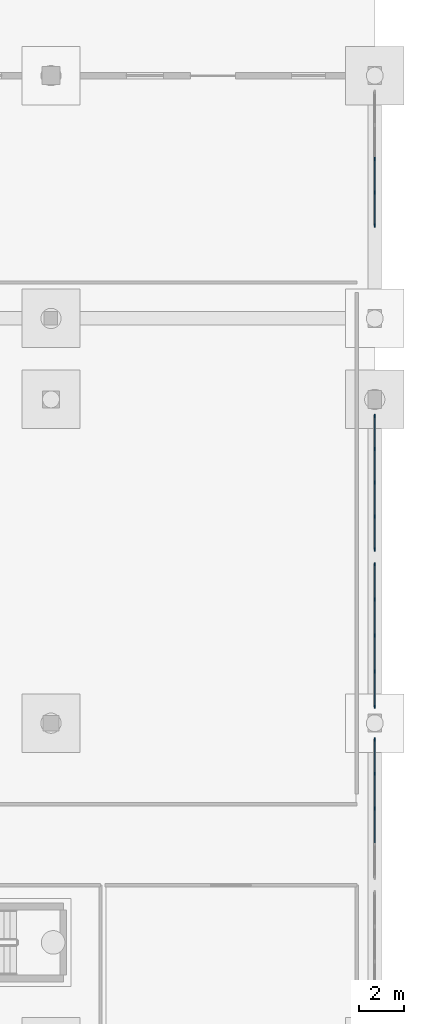
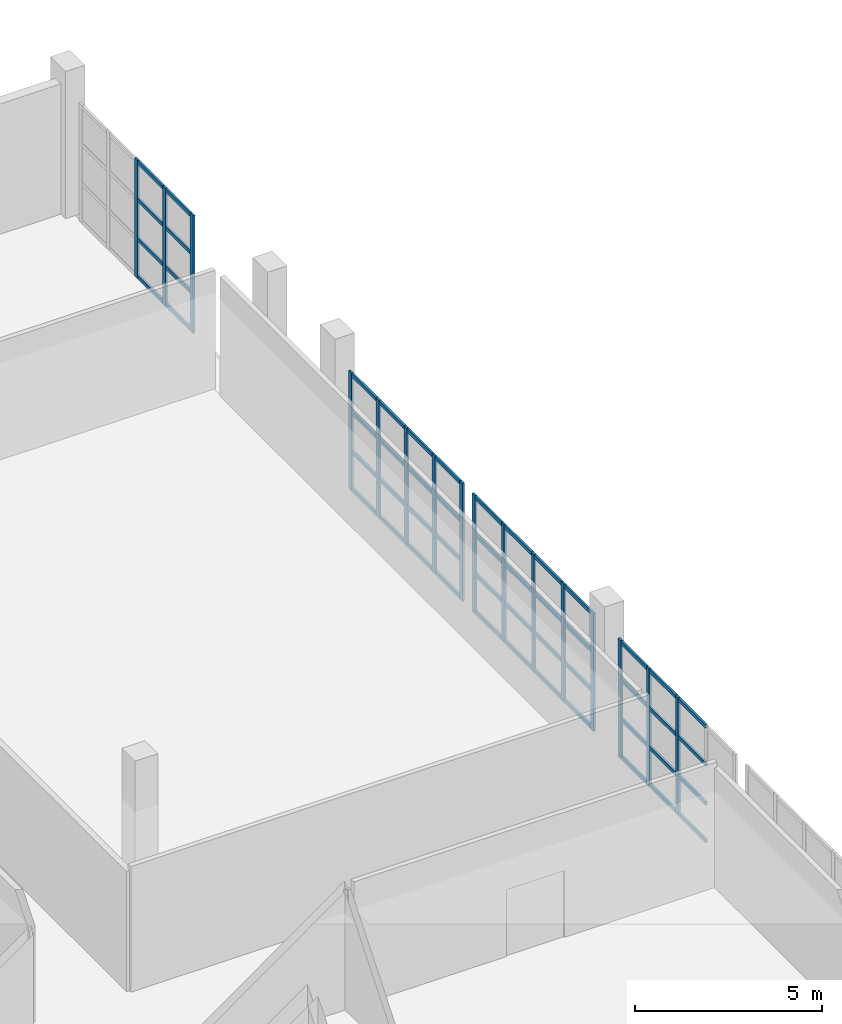
# One storey, part 117 of 285: 68 members, 4 elements without a shape of their own.
"""IFC4 building model written with IfcOpenShell, lengths in metres."""

from ifc_helpers import new_model, si_unit, direction, frame, origin, origin_2d, place, context, subcontext, project, spatial, rectangle, extrude, material, material_profile, profile_set, type_object, element, aggregate, save


model = new_model("IFC4")

# Units and contexts
model_context = context("Model", 3, precision=1e-05, world=origin(), true_north=direction((0.0, 1.0)))
body_context = subcontext(model_context, "Body", "Model", "MODEL_VIEW")
ifc_project = project(units=[si_unit("LENGTHUNIT", "METRE"), si_unit("AREAUNIT", "SQUARE_METRE"), si_unit("VOLUMEUNIT", "CUBIC_METRE"), si_unit("PLANEANGLEUNIT", "RADIAN"), si_unit("MASSUNIT", "GRAM", prefix="KILO")], contexts=[model_context])

# Site, building, storey
site_placement = place(None, origin())
site = spatial("IfcSite", under=ifc_project, at=site_placement, CompositionType="ELEMENT")
building_placement = place(site_placement, origin())
building = spatial("IfcBuilding", under=site, at=building_placement, Name="Solanera Park Tramway Depot", CompositionType="ELEMENT")
storey_placement = place(building_placement, origin())
storey = spatial("IfcBuildingStorey", under=building, at=storey_placement, Name="L00", CompositionType="ELEMENT", Elevation=0.0)

# Curtain wall, members
ifc_material_1 = material(Name="Bronze-anodised thermally broken aluminium curtain wall", Category="aluminium")
curtain_wall_type = type_object("IfcCurtainWallType", Name="Parkfront Loggia Curtain Wall", PredefinedType="NOTDEFINED", material=ifc_material_1)
curtain_wall_1_placement = place(storey_placement, origin())
curtain_wall_1 = element("IfcCurtainWall", 1, at=curtain_wall_1_placement, inside=storey, type_object=curtain_wall_type, Name="L00 Parkfront Loggia Curtain Wall #129", PredefinedType="NOTDEFINED")
ifc_material_2 = material(Name="Bronze-anodised structural aluminium 6063-T6", Category="aluminium")
ifc_material_profile_1 = material_profile(ifc_material_2, rectangle(XDim=0.06494140625, YDim=0.14990234375, at=origin_2d()), Name="Curtain Wall Mullion 65x150")
ifc_profile_set_1 = profile_set([ifc_material_profile_1], Name="Bronze-anodised structural aluminium 6063-T6")
member_type_1 = type_object("IfcMemberType", Name="Curtain Wall Mullion 65x150", PredefinedType="MULLION", material=ifc_profile_set_1)
member_1_placement = place(storey_placement, frame((216.0, 32.199951171875, 0.0), z_axis=(0.0, 0.0, 1.0), x_axis=(1.0, 0.0, 0.0)))
member_1 = element("IfcMember", 2, at=member_1_placement, type_object=member_type_1, Name="CW-L00-129 Mullion 3", PredefinedType="MULLION", context=body_context, shape_type="SweptSolid", body=[
    extrude(rectangle(XDim=0.06494140625, YDim=0.14990234375, at=origin_2d()), origin(), (0.0, 0.0, 1.0), 3.85009765625),
])
member_2_placement = place(storey_placement, frame((216.0, 33.75, 0.0), z_axis=(0.0, 0.0, 1.0), x_axis=(1.0, 0.0, 0.0)))
member_2 = element("IfcMember", 3, at=member_2_placement, type_object=member_type_1, Name="CW-L00-129 Mullion 4", PredefinedType="MULLION", context=body_context, shape_type="SweptSolid", body=[
    extrude(rectangle(XDim=0.06494140625, YDim=0.14990234375, at=origin_2d()), origin(), (0.0, 0.0, 1.0), 3.85009765625),
])
member_3_placement = place(storey_placement, frame((216.0, 35.267578125, 0.0), z_axis=(0.0, 0.0, 1.0), x_axis=(1.0, 0.0, 0.0)))
member_3 = element("IfcMember", 4, at=member_3_placement, type_object=member_type_1, Name="CW-L00-129 Mullion 5", PredefinedType="MULLION", context=body_context, shape_type="SweptSolid", body=[
    extrude(rectangle(XDim=0.06494140625, YDim=0.14990234375, at=origin_2d()), origin(), (0.0, 0.0, 1.0), 3.85009765625),
])

curtain_wall_2_placement = place(storey_placement, origin())
curtain_wall_2 = element("IfcCurtainWall", 5, at=curtain_wall_2_placement, inside=storey, type_object=curtain_wall_type, Name="L00 Parkfront Loggia Curtain Wall #130", PredefinedType="NOTDEFINED")
member_4_placement = place(storey_placement, frame((216.0, 36.732421875, 0.0), z_axis=(0.0, 0.0, 1.0), x_axis=(1.0, 0.0, 0.0)))
member_4 = element("IfcMember", 6, at=member_4_placement, type_object=member_type_1, Name="CW-L00-130 Mullion 1", PredefinedType="MULLION", context=body_context, shape_type="SweptSolid", body=[
    extrude(rectangle(XDim=0.06494140625, YDim=0.14990234375, at=origin_2d()), origin(), (0.0, 0.0, 1.0), 3.85009765625),
])
member_5_placement = place(storey_placement, frame((216.0, 38.300048828125, 0.0), z_axis=(0.0, 0.0, 1.0), x_axis=(1.0, 0.0, 0.0)))
member_5 = element("IfcMember", 7, at=member_5_placement, type_object=member_type_1, Name="CW-L00-130 Mullion 2", PredefinedType="MULLION", context=body_context, shape_type="SweptSolid", body=[
    extrude(rectangle(XDim=0.06494140625, YDim=0.14990234375, at=origin_2d()), origin(), (0.0, 0.0, 1.0), 3.85009765625),
])
member_6_placement = place(storey_placement, frame((216.0, 39.89990234375, 0.0), z_axis=(0.0, 0.0, 1.0), x_axis=(1.0, 0.0, 0.0)))
member_6 = element("IfcMember", 8, at=member_6_placement, type_object=member_type_1, Name="CW-L00-130 Mullion 3", PredefinedType="MULLION", context=body_context, shape_type="SweptSolid", body=[
    extrude(rectangle(XDim=0.06494140625, YDim=0.14990234375, at=origin_2d()), origin(), (0.0, 0.0, 1.0), 3.85009765625),
])
member_7_placement = place(storey_placement, frame((216.0, 41.5, 0.0), z_axis=(0.0, 0.0, 1.0), x_axis=(1.0, 0.0, 0.0)))
member_7 = element("IfcMember", 9, at=member_7_placement, type_object=member_type_1, Name="CW-L00-130 Mullion 4", PredefinedType="MULLION", context=body_context, shape_type="SweptSolid", body=[
    extrude(rectangle(XDim=0.06494140625, YDim=0.14990234375, at=origin_2d()), origin(), (0.0, 0.0, 1.0), 3.85009765625),
])
member_8_placement = place(storey_placement, frame((216.0, 43.0673828125, 0.0), z_axis=(0.0, 0.0, 1.0), x_axis=(1.0, 0.0, 0.0)))
member_8 = element("IfcMember", 10, at=member_8_placement, type_object=member_type_1, Name="CW-L00-130 Mullion 5", PredefinedType="MULLION", context=body_context, shape_type="SweptSolid", body=[
    extrude(rectangle(XDim=0.06494140625, YDim=0.14990234375, at=origin_2d()), origin(), (0.0, 0.0, 1.0), 3.85009765625),
])

curtain_wall_3_placement = place(storey_placement, origin())
curtain_wall_3 = element("IfcCurtainWall", 11, at=curtain_wall_3_placement, inside=storey, type_object=curtain_wall_type, Name="L00 Parkfront Loggia Curtain Wall #131", PredefinedType="NOTDEFINED")
member_9_placement = place(storey_placement, frame((216.0, 43.732421875, 0.0), z_axis=(0.0, 0.0, 1.0), x_axis=(1.0, 0.0, 0.0)))
member_9 = element("IfcMember", 12, at=member_9_placement, type_object=member_type_1, Name="CW-L00-131 Mullion 1", PredefinedType="MULLION", context=body_context, shape_type="SweptSolid", body=[
    extrude(rectangle(XDim=0.06494140625, YDim=0.14990234375, at=origin_2d()), origin(), (0.0, 0.0, 1.0), 3.85009765625),
])
member_10_placement = place(storey_placement, frame((216.0, 45.199951171875, 0.0), z_axis=(0.0, 0.0, 1.0), x_axis=(1.0, 0.0, 0.0)))
member_10 = element("IfcMember", 13, at=member_10_placement, type_object=member_type_1, Name="CW-L00-131 Mullion 2", PredefinedType="MULLION", context=body_context, shape_type="SweptSolid", body=[
    extrude(rectangle(XDim=0.06494140625, YDim=0.14990234375, at=origin_2d()), origin(), (0.0, 0.0, 1.0), 3.85009765625),
])
member_11_placement = place(storey_placement, frame((216.0, 46.699951171875, 0.0), z_axis=(0.0, 0.0, 1.0), x_axis=(1.0, 0.0, 0.0)))
member_11 = element("IfcMember", 14, at=member_11_placement, type_object=member_type_1, Name="CW-L00-131 Mullion 3", PredefinedType="MULLION", context=body_context, shape_type="SweptSolid", body=[
    extrude(rectangle(XDim=0.06494140625, YDim=0.14990234375, at=origin_2d()), origin(), (0.0, 0.0, 1.0), 3.85009765625),
])
member_12_placement = place(storey_placement, frame((216.0, 48.199951171875, 0.0), z_axis=(0.0, 0.0, 1.0), x_axis=(1.0, 0.0, 0.0)))
member_12 = element("IfcMember", 15, at=member_12_placement, type_object=member_type_1, Name="CW-L00-131 Mullion 4", PredefinedType="MULLION", context=body_context, shape_type="SweptSolid", body=[
    extrude(rectangle(XDim=0.06494140625, YDim=0.14990234375, at=origin_2d()), origin(), (0.0, 0.0, 1.0), 3.85009765625),
])
member_13_placement = place(storey_placement, frame((216.0, 49.66748046875, 0.0), z_axis=(0.0, 0.0, 1.0), x_axis=(1.0, 0.0, 0.0)))
member_13 = element("IfcMember", 16, at=member_13_placement, type_object=member_type_1, Name="CW-L00-131 Mullion 5", PredefinedType="MULLION", context=body_context, shape_type="SweptSolid", body=[
    extrude(rectangle(XDim=0.06494140625, YDim=0.14990234375, at=origin_2d()), origin(), (0.0, 0.0, 1.0), 3.85009765625),
])

curtain_wall_4_placement = place(storey_placement, origin())
curtain_wall_4 = element("IfcCurtainWall", 17, at=curtain_wall_4_placement, inside=storey, type_object=curtain_wall_type, Name="L00 Parkfront Loggia Curtain Wall #132", PredefinedType="NOTDEFINED")
member_14_placement = place(storey_placement, frame((216.0, 58.132568359375, 0.0), z_axis=(0.0, 0.0, 1.0), x_axis=(1.0, 0.0, 0.0)))
member_14 = element("IfcMember", 18, at=member_14_placement, type_object=member_type_1, Name="CW-L00-132 Mullion 1", PredefinedType="MULLION", context=body_context, shape_type="SweptSolid", body=[
    extrude(rectangle(XDim=0.06494140625, YDim=0.14990234375, at=origin_2d()), origin(), (0.0, 0.0, 1.0), 3.85009765625),
])
member_15_placement = place(storey_placement, frame((216.0, 59.60009765625, 0.0), z_axis=(0.0, 0.0, 1.0), x_axis=(1.0, 0.0, 0.0)))
member_15 = element("IfcMember", 19, at=member_15_placement, type_object=member_type_1, Name="CW-L00-132 Mullion 2", PredefinedType="MULLION", context=body_context, shape_type="SweptSolid", body=[
    extrude(rectangle(XDim=0.06494140625, YDim=0.14990234375, at=origin_2d()), origin(), (0.0, 0.0, 1.0), 3.85009765625),
])
member_16_placement = place(storey_placement, frame((216.0, 61.10009765625, 0.0), z_axis=(0.0, 0.0, 1.0), x_axis=(1.0, 0.0, 0.0)))
member_16 = element("IfcMember", 20, at=member_16_placement, type_object=member_type_1, Name="CW-L00-132 Mullion 3", PredefinedType="MULLION", context=body_context, shape_type="SweptSolid", body=[
    extrude(rectangle(XDim=0.06494140625, YDim=0.14990234375, at=origin_2d()), origin(), (0.0, 0.0, 1.0), 3.85009765625),
])

# Member
ifc_material_3 = material(Name="Bronze-anodised structural aluminium 6063-T6", Category="aluminium")
ifc_material_profile_2 = material_profile(ifc_material_3, rectangle(XDim=0.06494140625, YDim=0.1201171875, at=origin_2d()), Name="Curtain Wall Transom 65x120")
ifc_profile_set_2 = profile_set([ifc_material_profile_2], Name="Bronze-anodised structural aluminium 6063-T6")
member_type_2 = type_object("IfcMemberType", Name="Curtain Wall Transom 65x120", PredefinedType="USERDEFINED", material=ifc_profile_set_2)
member_17_placement = place(storey_placement, frame((216.0, 30.677978515625, 0.06005859375), z_axis=(0.0, 1.0, 0.0), x_axis=(-1.0, 0.0, 0.0)))
member_17 = element("IfcMember", 21, at=member_17_placement, type_object=member_type_2, Name="CW-L00-129 Transom R1.C2", ObjectType="TRANSOM", PredefinedType="USERDEFINED", context=body_context, shape_type="SweptSolid", body=[
    extrude(rectangle(XDim=0.06494140625, YDim=0.1201171875, at=origin_2d()), origin(), (0.0, 0.0, 1.0), 1.494140625),
])

member_18_placement = place(storey_placement, frame((216.0, 32.22802734375, 0.06005859375), z_axis=(0.0, 1.0, 0.0), x_axis=(-1.0, 0.0, 0.0)))
member_18 = element("IfcMember", 22, at=member_18_placement, type_object=member_type_2, Name="CW-L00-129 Transom R1.C3", ObjectType="TRANSOM", PredefinedType="USERDEFINED", context=body_context, shape_type="SweptSolid", body=[
    extrude(rectangle(XDim=0.06494140625, YDim=0.1201171875, at=origin_2d()), origin(), (0.0, 0.0, 1.0), 1.493896484375),
])

member_19_placement = place(storey_placement, frame((216.0, 33.778076171875, 0.06005859375), z_axis=(0.0, 1.0, 0.0), x_axis=(-1.0, 0.0, 0.0)))
member_19 = element("IfcMember", 23, at=member_19_placement, type_object=member_type_2, Name="CW-L00-129 Transom R1.C4", ObjectType="TRANSOM", PredefinedType="USERDEFINED", context=body_context, shape_type="SweptSolid", body=[
    extrude(rectangle(XDim=0.06494140625, YDim=0.1201171875, at=origin_2d()), origin(), (0.0, 0.0, 1.0), 1.46142578125),
])

member_20_placement = place(storey_placement, frame((216.0, 30.677978515625, 1.283203125), z_axis=(0.0, 1.0, 0.0), x_axis=(-1.0, 0.0, 0.0)))
member_20 = element("IfcMember", 24, at=member_20_placement, type_object=member_type_2, Name="CW-L00-129 Transom R2.C2", ObjectType="TRANSOM", PredefinedType="USERDEFINED", context=body_context, shape_type="SweptSolid", body=[
    extrude(rectangle(XDim=0.06494140625, YDim=0.1201171875, at=origin_2d()), origin(), (0.0, 0.0, 1.0), 1.494140625),
])

member_21_placement = place(storey_placement, frame((216.0, 32.22802734375, 1.283203125), z_axis=(0.0, 1.0, 0.0), x_axis=(-1.0, 0.0, 0.0)))
member_21 = element("IfcMember", 25, at=member_21_placement, type_object=member_type_2, Name="CW-L00-129 Transom R2.C3", ObjectType="TRANSOM", PredefinedType="USERDEFINED", context=body_context, shape_type="SweptSolid", body=[
    extrude(rectangle(XDim=0.06494140625, YDim=0.1201171875, at=origin_2d()), origin(), (0.0, 0.0, 1.0), 1.493896484375),
])

member_22_placement = place(storey_placement, frame((216.0, 33.778076171875, 1.283203125), z_axis=(0.0, 1.0, 0.0), x_axis=(-1.0, 0.0, 0.0)))
member_22 = element("IfcMember", 26, at=member_22_placement, type_object=member_type_2, Name="CW-L00-129 Transom R2.C4", ObjectType="TRANSOM", PredefinedType="USERDEFINED", context=body_context, shape_type="SweptSolid", body=[
    extrude(rectangle(XDim=0.06494140625, YDim=0.1201171875, at=origin_2d()), origin(), (0.0, 0.0, 1.0), 1.46142578125),
])

member_23_placement = place(storey_placement, frame((216.0, 30.677978515625, 2.566650390625), z_axis=(0.0, 1.0, 0.0), x_axis=(-1.0, 0.0, 0.0)))
member_23 = element("IfcMember", 27, at=member_23_placement, type_object=member_type_2, Name="CW-L00-129 Transom R3.C2", ObjectType="TRANSOM", PredefinedType="USERDEFINED", context=body_context, shape_type="SweptSolid", body=[
    extrude(rectangle(XDim=0.06494140625, YDim=0.1201171875, at=origin_2d()), origin(), (0.0, 0.0, 1.0), 1.494140625),
])

member_24_placement = place(storey_placement, frame((216.0, 32.22802734375, 2.566650390625), z_axis=(0.0, 1.0, 0.0), x_axis=(-1.0, 0.0, 0.0)))
member_24 = element("IfcMember", 28, at=member_24_placement, type_object=member_type_2, Name="CW-L00-129 Transom R3.C3", ObjectType="TRANSOM", PredefinedType="USERDEFINED", context=body_context, shape_type="SweptSolid", body=[
    extrude(rectangle(XDim=0.06494140625, YDim=0.1201171875, at=origin_2d()), origin(), (0.0, 0.0, 1.0), 1.493896484375),
])

member_25_placement = place(storey_placement, frame((216.0, 33.778076171875, 2.566650390625), z_axis=(0.0, 1.0, 0.0), x_axis=(-1.0, 0.0, 0.0)))
member_25 = element("IfcMember", 29, at=member_25_placement, type_object=member_type_2, Name="CW-L00-129 Transom R3.C4", ObjectType="TRANSOM", PredefinedType="USERDEFINED", context=body_context, shape_type="SweptSolid", body=[
    extrude(rectangle(XDim=0.06494140625, YDim=0.1201171875, at=origin_2d()), origin(), (0.0, 0.0, 1.0), 1.46142578125),
])

member_26_placement = place(storey_placement, frame((216.0, 30.677978515625, 3.7900390625), z_axis=(0.0, 1.0, 0.0), x_axis=(-1.0, 0.0, 0.0)))
member_26 = element("IfcMember", 30, at=member_26_placement, type_object=member_type_2, Name="CW-L00-129 Transom R4.C2", ObjectType="TRANSOM", PredefinedType="USERDEFINED", context=body_context, shape_type="SweptSolid", body=[
    extrude(rectangle(XDim=0.06494140625, YDim=0.1201171875, at=origin_2d()), origin(), (0.0, 0.0, 1.0), 1.494140625),
])

member_27_placement = place(storey_placement, frame((216.0, 32.22802734375, 3.7900390625), z_axis=(0.0, 1.0, 0.0), x_axis=(-1.0, 0.0, 0.0)))
member_27 = element("IfcMember", 31, at=member_27_placement, type_object=member_type_2, Name="CW-L00-129 Transom R4.C3", ObjectType="TRANSOM", PredefinedType="USERDEFINED", context=body_context, shape_type="SweptSolid", body=[
    extrude(rectangle(XDim=0.06494140625, YDim=0.1201171875, at=origin_2d()), origin(), (0.0, 0.0, 1.0), 1.493896484375),
])

member_28_placement = place(storey_placement, frame((216.0, 33.778076171875, 3.7900390625), z_axis=(0.0, 1.0, 0.0), x_axis=(-1.0, 0.0, 0.0)))
member_28 = element("IfcMember", 32, at=member_28_placement, type_object=member_type_2, Name="CW-L00-129 Transom R4.C4", ObjectType="TRANSOM", PredefinedType="USERDEFINED", context=body_context, shape_type="SweptSolid", body=[
    extrude(rectangle(XDim=0.06494140625, YDim=0.1201171875, at=origin_2d()), origin(), (0.0, 0.0, 1.0), 1.46142578125),
])

aggregate(curtain_wall_1, [member_1, member_2, member_3, member_17, member_18, member_19, member_20, member_21, member_22, member_23, member_24, member_25, member_26, member_27, member_28])

member_29_placement = place(storey_placement, frame((216.0, 36.760498046875, 0.06005859375), z_axis=(0.0, 1.0, 0.0), x_axis=(-1.0, 0.0, 0.0)))
member_29 = element("IfcMember", 33, at=member_29_placement, type_object=member_type_2, Name="CW-L00-130 Transom R1.C1", ObjectType="TRANSOM", PredefinedType="USERDEFINED", context=body_context, shape_type="SweptSolid", body=[
    extrude(rectangle(XDim=0.06494140625, YDim=0.1201171875, at=origin_2d()), origin(), (0.0, 0.0, 1.0), 1.511474609375),
])

member_30_placement = place(storey_placement, frame((216.0, 38.327880859375, 0.06005859375), z_axis=(0.0, 1.0, 0.0), x_axis=(-1.0, 0.0, 0.0)))
member_30 = element("IfcMember", 34, at=member_30_placement, type_object=member_type_2, Name="CW-L00-130 Transom R1.C2", ObjectType="TRANSOM", PredefinedType="USERDEFINED", context=body_context, shape_type="SweptSolid", body=[
    extrude(rectangle(XDim=0.06494140625, YDim=0.1201171875, at=origin_2d()), origin(), (0.0, 0.0, 1.0), 1.544189453125),
])

member_31_placement = place(storey_placement, frame((216.0, 39.927978515625, 0.06005859375), z_axis=(0.0, 1.0, 0.0), x_axis=(-1.0, 0.0, 0.0)))
member_31 = element("IfcMember", 35, at=member_31_placement, type_object=member_type_2, Name="CW-L00-130 Transom R1.C3", ObjectType="TRANSOM", PredefinedType="USERDEFINED", context=body_context, shape_type="SweptSolid", body=[
    extrude(rectangle(XDim=0.06494140625, YDim=0.1201171875, at=origin_2d()), origin(), (0.0, 0.0, 1.0), 1.5439453125),
])

member_32_placement = place(storey_placement, frame((216.0, 41.528076171875, 0.06005859375), z_axis=(0.0, 1.0, 0.0), x_axis=(-1.0, 0.0, 0.0)))
member_32 = element("IfcMember", 36, at=member_32_placement, type_object=member_type_2, Name="CW-L00-130 Transom R1.C4", ObjectType="TRANSOM", PredefinedType="USERDEFINED", context=body_context, shape_type="SweptSolid", body=[
    extrude(rectangle(XDim=0.06494140625, YDim=0.1201171875, at=origin_2d()), origin(), (0.0, 0.0, 1.0), 1.511474609375),
])

member_33_placement = place(storey_placement, frame((216.0, 36.760498046875, 1.283203125), z_axis=(0.0, 1.0, 0.0), x_axis=(-1.0, 0.0, 0.0)))
member_33 = element("IfcMember", 37, at=member_33_placement, type_object=member_type_2, Name="CW-L00-130 Transom R2.C1", ObjectType="TRANSOM", PredefinedType="USERDEFINED", context=body_context, shape_type="SweptSolid", body=[
    extrude(rectangle(XDim=0.06494140625, YDim=0.1201171875, at=origin_2d()), origin(), (0.0, 0.0, 1.0), 1.511474609375),
])

member_34_placement = place(storey_placement, frame((216.0, 38.327880859375, 1.283203125), z_axis=(0.0, 1.0, 0.0), x_axis=(-1.0, 0.0, 0.0)))
member_34 = element("IfcMember", 38, at=member_34_placement, type_object=member_type_2, Name="CW-L00-130 Transom R2.C2", ObjectType="TRANSOM", PredefinedType="USERDEFINED", context=body_context, shape_type="SweptSolid", body=[
    extrude(rectangle(XDim=0.06494140625, YDim=0.1201171875, at=origin_2d()), origin(), (0.0, 0.0, 1.0), 1.544189453125),
])

member_35_placement = place(storey_placement, frame((216.0, 39.927978515625, 1.283203125), z_axis=(0.0, 1.0, 0.0), x_axis=(-1.0, 0.0, 0.0)))
member_35 = element("IfcMember", 39, at=member_35_placement, type_object=member_type_2, Name="CW-L00-130 Transom R2.C3", ObjectType="TRANSOM", PredefinedType="USERDEFINED", context=body_context, shape_type="SweptSolid", body=[
    extrude(rectangle(XDim=0.06494140625, YDim=0.1201171875, at=origin_2d()), origin(), (0.0, 0.0, 1.0), 1.5439453125),
])

member_36_placement = place(storey_placement, frame((216.0, 41.528076171875, 1.283203125), z_axis=(0.0, 1.0, 0.0), x_axis=(-1.0, 0.0, 0.0)))
member_36 = element("IfcMember", 40, at=member_36_placement, type_object=member_type_2, Name="CW-L00-130 Transom R2.C4", ObjectType="TRANSOM", PredefinedType="USERDEFINED", context=body_context, shape_type="SweptSolid", body=[
    extrude(rectangle(XDim=0.06494140625, YDim=0.1201171875, at=origin_2d()), origin(), (0.0, 0.0, 1.0), 1.511474609375),
])

member_37_placement = place(storey_placement, frame((216.0, 36.760498046875, 2.566650390625), z_axis=(0.0, 1.0, 0.0), x_axis=(-1.0, 0.0, 0.0)))
member_37 = element("IfcMember", 41, at=member_37_placement, type_object=member_type_2, Name="CW-L00-130 Transom R3.C1", ObjectType="TRANSOM", PredefinedType="USERDEFINED", context=body_context, shape_type="SweptSolid", body=[
    extrude(rectangle(XDim=0.06494140625, YDim=0.1201171875, at=origin_2d()), origin(), (0.0, 0.0, 1.0), 1.511474609375),
])

member_38_placement = place(storey_placement, frame((216.0, 38.327880859375, 2.566650390625), z_axis=(0.0, 1.0, 0.0), x_axis=(-1.0, 0.0, 0.0)))
member_38 = element("IfcMember", 42, at=member_38_placement, type_object=member_type_2, Name="CW-L00-130 Transom R3.C2", ObjectType="TRANSOM", PredefinedType="USERDEFINED", context=body_context, shape_type="SweptSolid", body=[
    extrude(rectangle(XDim=0.06494140625, YDim=0.1201171875, at=origin_2d()), origin(), (0.0, 0.0, 1.0), 1.544189453125),
])

member_39_placement = place(storey_placement, frame((216.0, 39.927978515625, 2.566650390625), z_axis=(0.0, 1.0, 0.0), x_axis=(-1.0, 0.0, 0.0)))
member_39 = element("IfcMember", 43, at=member_39_placement, type_object=member_type_2, Name="CW-L00-130 Transom R3.C3", ObjectType="TRANSOM", PredefinedType="USERDEFINED", context=body_context, shape_type="SweptSolid", body=[
    extrude(rectangle(XDim=0.06494140625, YDim=0.1201171875, at=origin_2d()), origin(), (0.0, 0.0, 1.0), 1.5439453125),
])

member_40_placement = place(storey_placement, frame((216.0, 41.528076171875, 2.566650390625), z_axis=(0.0, 1.0, 0.0), x_axis=(-1.0, 0.0, 0.0)))
member_40 = element("IfcMember", 44, at=member_40_placement, type_object=member_type_2, Name="CW-L00-130 Transom R3.C4", ObjectType="TRANSOM", PredefinedType="USERDEFINED", context=body_context, shape_type="SweptSolid", body=[
    extrude(rectangle(XDim=0.06494140625, YDim=0.1201171875, at=origin_2d()), origin(), (0.0, 0.0, 1.0), 1.511474609375),
])

member_41_placement = place(storey_placement, frame((216.0, 36.760498046875, 3.7900390625), z_axis=(0.0, 1.0, 0.0), x_axis=(-1.0, 0.0, 0.0)))
member_41 = element("IfcMember", 45, at=member_41_placement, type_object=member_type_2, Name="CW-L00-130 Transom R4.C1", ObjectType="TRANSOM", PredefinedType="USERDEFINED", context=body_context, shape_type="SweptSolid", body=[
    extrude(rectangle(XDim=0.06494140625, YDim=0.1201171875, at=origin_2d()), origin(), (0.0, 0.0, 1.0), 1.511474609375),
])

member_42_placement = place(storey_placement, frame((216.0, 38.327880859375, 3.7900390625), z_axis=(0.0, 1.0, 0.0), x_axis=(-1.0, 0.0, 0.0)))
member_42 = element("IfcMember", 46, at=member_42_placement, type_object=member_type_2, Name="CW-L00-130 Transom R4.C2", ObjectType="TRANSOM", PredefinedType="USERDEFINED", context=body_context, shape_type="SweptSolid", body=[
    extrude(rectangle(XDim=0.06494140625, YDim=0.1201171875, at=origin_2d()), origin(), (0.0, 0.0, 1.0), 1.544189453125),
])

member_43_placement = place(storey_placement, frame((216.0, 39.927978515625, 3.7900390625), z_axis=(0.0, 1.0, 0.0), x_axis=(-1.0, 0.0, 0.0)))
member_43 = element("IfcMember", 47, at=member_43_placement, type_object=member_type_2, Name="CW-L00-130 Transom R4.C3", ObjectType="TRANSOM", PredefinedType="USERDEFINED", context=body_context, shape_type="SweptSolid", body=[
    extrude(rectangle(XDim=0.06494140625, YDim=0.1201171875, at=origin_2d()), origin(), (0.0, 0.0, 1.0), 1.5439453125),
])

member_44_placement = place(storey_placement, frame((216.0, 41.528076171875, 3.7900390625), z_axis=(0.0, 1.0, 0.0), x_axis=(-1.0, 0.0, 0.0)))
member_44 = element("IfcMember", 48, at=member_44_placement, type_object=member_type_2, Name="CW-L00-130 Transom R4.C4", ObjectType="TRANSOM", PredefinedType="USERDEFINED", context=body_context, shape_type="SweptSolid", body=[
    extrude(rectangle(XDim=0.06494140625, YDim=0.1201171875, at=origin_2d()), origin(), (0.0, 0.0, 1.0), 1.511474609375),
])

aggregate(curtain_wall_2, [member_4, member_5, member_6, member_7, member_8, member_29, member_30, member_31, member_32, member_33, member_34, member_35, member_36, member_37, member_38, member_39, member_40, member_41, member_42, member_43, member_44])

member_45_placement = place(storey_placement, frame((216.0, 43.760498046875, 0.06005859375), z_axis=(0.0, 1.0, 0.0), x_axis=(-1.0, 0.0, 0.0)))
member_45 = element("IfcMember", 49, at=member_45_placement, type_object=member_type_2, Name="CW-L00-131 Transom R1.C1", ObjectType="TRANSOM", PredefinedType="USERDEFINED", context=body_context, shape_type="SweptSolid", body=[
    extrude(rectangle(XDim=0.06494140625, YDim=0.1201171875, at=origin_2d()), origin(), (0.0, 0.0, 1.0), 1.41162109375),
])

member_46_placement = place(storey_placement, frame((216.0, 45.22802734375, 0.06005859375), z_axis=(0.0, 1.0, 0.0), x_axis=(-1.0, 0.0, 0.0)))
member_46 = element("IfcMember", 50, at=member_46_placement, type_object=member_type_2, Name="CW-L00-131 Transom R1.C2", ObjectType="TRANSOM", PredefinedType="USERDEFINED", context=body_context, shape_type="SweptSolid", body=[
    extrude(rectangle(XDim=0.06494140625, YDim=0.1201171875, at=origin_2d()), origin(), (0.0, 0.0, 1.0), 1.444091796875),
])

member_47_placement = place(storey_placement, frame((216.0, 46.72802734375, 0.06005859375), z_axis=(0.0, 1.0, 0.0), x_axis=(-1.0, 0.0, 0.0)))
member_47 = element("IfcMember", 51, at=member_47_placement, type_object=member_type_2, Name="CW-L00-131 Transom R1.C3", ObjectType="TRANSOM", PredefinedType="USERDEFINED", context=body_context, shape_type="SweptSolid", body=[
    extrude(rectangle(XDim=0.06494140625, YDim=0.1201171875, at=origin_2d()), origin(), (0.0, 0.0, 1.0), 1.444091796875),
])

member_48_placement = place(storey_placement, frame((216.0, 48.22802734375, 0.06005859375), z_axis=(0.0, 1.0, 0.0), x_axis=(-1.0, 0.0, 0.0)))
member_48 = element("IfcMember", 52, at=member_48_placement, type_object=member_type_2, Name="CW-L00-131 Transom R1.C4", ObjectType="TRANSOM", PredefinedType="USERDEFINED", context=body_context, shape_type="SweptSolid", body=[
    extrude(rectangle(XDim=0.06494140625, YDim=0.1201171875, at=origin_2d()), origin(), (0.0, 0.0, 1.0), 1.411376953125),
])

member_49_placement = place(storey_placement, frame((216.0, 43.760498046875, 1.283203125), z_axis=(0.0, 1.0, 0.0), x_axis=(-1.0, 0.0, 0.0)))
member_49 = element("IfcMember", 53, at=member_49_placement, type_object=member_type_2, Name="CW-L00-131 Transom R2.C1", ObjectType="TRANSOM", PredefinedType="USERDEFINED", context=body_context, shape_type="SweptSolid", body=[
    extrude(rectangle(XDim=0.06494140625, YDim=0.1201171875, at=origin_2d()), origin(), (0.0, 0.0, 1.0), 1.41162109375),
])

member_50_placement = place(storey_placement, frame((216.0, 45.22802734375, 1.283203125), z_axis=(0.0, 1.0, 0.0), x_axis=(-1.0, 0.0, 0.0)))
member_50 = element("IfcMember", 54, at=member_50_placement, type_object=member_type_2, Name="CW-L00-131 Transom R2.C2", ObjectType="TRANSOM", PredefinedType="USERDEFINED", context=body_context, shape_type="SweptSolid", body=[
    extrude(rectangle(XDim=0.06494140625, YDim=0.1201171875, at=origin_2d()), origin(), (0.0, 0.0, 1.0), 1.444091796875),
])

member_51_placement = place(storey_placement, frame((216.0, 46.72802734375, 1.283203125), z_axis=(0.0, 1.0, 0.0), x_axis=(-1.0, 0.0, 0.0)))
member_51 = element("IfcMember", 55, at=member_51_placement, type_object=member_type_2, Name="CW-L00-131 Transom R2.C3", ObjectType="TRANSOM", PredefinedType="USERDEFINED", context=body_context, shape_type="SweptSolid", body=[
    extrude(rectangle(XDim=0.06494140625, YDim=0.1201171875, at=origin_2d()), origin(), (0.0, 0.0, 1.0), 1.444091796875),
])

member_52_placement = place(storey_placement, frame((216.0, 48.22802734375, 1.283203125), z_axis=(0.0, 1.0, 0.0), x_axis=(-1.0, 0.0, 0.0)))
member_52 = element("IfcMember", 56, at=member_52_placement, type_object=member_type_2, Name="CW-L00-131 Transom R2.C4", ObjectType="TRANSOM", PredefinedType="USERDEFINED", context=body_context, shape_type="SweptSolid", body=[
    extrude(rectangle(XDim=0.06494140625, YDim=0.1201171875, at=origin_2d()), origin(), (0.0, 0.0, 1.0), 1.411376953125),
])

member_53_placement = place(storey_placement, frame((216.0, 43.760498046875, 2.566650390625), z_axis=(0.0, 1.0, 0.0), x_axis=(-1.0, 0.0, 0.0)))
member_53 = element("IfcMember", 57, at=member_53_placement, type_object=member_type_2, Name="CW-L00-131 Transom R3.C1", ObjectType="TRANSOM", PredefinedType="USERDEFINED", context=body_context, shape_type="SweptSolid", body=[
    extrude(rectangle(XDim=0.06494140625, YDim=0.1201171875, at=origin_2d()), origin(), (0.0, 0.0, 1.0), 1.41162109375),
])

member_54_placement = place(storey_placement, frame((216.0, 45.22802734375, 2.566650390625), z_axis=(0.0, 1.0, 0.0), x_axis=(-1.0, 0.0, 0.0)))
member_54 = element("IfcMember", 58, at=member_54_placement, type_object=member_type_2, Name="CW-L00-131 Transom R3.C2", ObjectType="TRANSOM", PredefinedType="USERDEFINED", context=body_context, shape_type="SweptSolid", body=[
    extrude(rectangle(XDim=0.06494140625, YDim=0.1201171875, at=origin_2d()), origin(), (0.0, 0.0, 1.0), 1.444091796875),
])

member_55_placement = place(storey_placement, frame((216.0, 46.72802734375, 2.566650390625), z_axis=(0.0, 1.0, 0.0), x_axis=(-1.0, 0.0, 0.0)))
member_55 = element("IfcMember", 59, at=member_55_placement, type_object=member_type_2, Name="CW-L00-131 Transom R3.C3", ObjectType="TRANSOM", PredefinedType="USERDEFINED", context=body_context, shape_type="SweptSolid", body=[
    extrude(rectangle(XDim=0.06494140625, YDim=0.1201171875, at=origin_2d()), origin(), (0.0, 0.0, 1.0), 1.444091796875),
])

member_56_placement = place(storey_placement, frame((216.0, 48.22802734375, 2.566650390625), z_axis=(0.0, 1.0, 0.0), x_axis=(-1.0, 0.0, 0.0)))
member_56 = element("IfcMember", 60, at=member_56_placement, type_object=member_type_2, Name="CW-L00-131 Transom R3.C4", ObjectType="TRANSOM", PredefinedType="USERDEFINED", context=body_context, shape_type="SweptSolid", body=[
    extrude(rectangle(XDim=0.06494140625, YDim=0.1201171875, at=origin_2d()), origin(), (0.0, 0.0, 1.0), 1.411376953125),
])

member_57_placement = place(storey_placement, frame((216.0, 43.760498046875, 3.7900390625), z_axis=(0.0, 1.0, 0.0), x_axis=(-1.0, 0.0, 0.0)))
member_57 = element("IfcMember", 61, at=member_57_placement, type_object=member_type_2, Name="CW-L00-131 Transom R4.C1", ObjectType="TRANSOM", PredefinedType="USERDEFINED", context=body_context, shape_type="SweptSolid", body=[
    extrude(rectangle(XDim=0.06494140625, YDim=0.1201171875, at=origin_2d()), origin(), (0.0, 0.0, 1.0), 1.41162109375),
])

member_58_placement = place(storey_placement, frame((216.0, 45.22802734375, 3.7900390625), z_axis=(0.0, 1.0, 0.0), x_axis=(-1.0, 0.0, 0.0)))
member_58 = element("IfcMember", 62, at=member_58_placement, type_object=member_type_2, Name="CW-L00-131 Transom R4.C2", ObjectType="TRANSOM", PredefinedType="USERDEFINED", context=body_context, shape_type="SweptSolid", body=[
    extrude(rectangle(XDim=0.06494140625, YDim=0.1201171875, at=origin_2d()), origin(), (0.0, 0.0, 1.0), 1.444091796875),
])

member_59_placement = place(storey_placement, frame((216.0, 46.72802734375, 3.7900390625), z_axis=(0.0, 1.0, 0.0), x_axis=(-1.0, 0.0, 0.0)))
member_59 = element("IfcMember", 63, at=member_59_placement, type_object=member_type_2, Name="CW-L00-131 Transom R4.C3", ObjectType="TRANSOM", PredefinedType="USERDEFINED", context=body_context, shape_type="SweptSolid", body=[
    extrude(rectangle(XDim=0.06494140625, YDim=0.1201171875, at=origin_2d()), origin(), (0.0, 0.0, 1.0), 1.444091796875),
])

member_60_placement = place(storey_placement, frame((216.0, 48.22802734375, 3.7900390625), z_axis=(0.0, 1.0, 0.0), x_axis=(-1.0, 0.0, 0.0)))
member_60 = element("IfcMember", 64, at=member_60_placement, type_object=member_type_2, Name="CW-L00-131 Transom R4.C4", ObjectType="TRANSOM", PredefinedType="USERDEFINED", context=body_context, shape_type="SweptSolid", body=[
    extrude(rectangle(XDim=0.06494140625, YDim=0.1201171875, at=origin_2d()), origin(), (0.0, 0.0, 1.0), 1.411376953125),
])

aggregate(curtain_wall_3, [member_9, member_10, member_11, member_12, member_13, member_45, member_46, member_47, member_48, member_49, member_50, member_51, member_52, member_53, member_54, member_55, member_56, member_57, member_58, member_59, member_60])

member_61_placement = place(storey_placement, frame((216.0, 58.160400390625, 0.06005859375), z_axis=(0.0, 1.0, 0.0), x_axis=(-1.0, 0.0, 0.0)))
member_61 = element("IfcMember", 65, at=member_61_placement, type_object=member_type_2, Name="CW-L00-132 Transom R1.C1", ObjectType="TRANSOM", PredefinedType="USERDEFINED", context=body_context, shape_type="SweptSolid", body=[
    extrude(rectangle(XDim=0.06494140625, YDim=0.1201171875, at=origin_2d()), origin(), (0.0, 0.0, 1.0), 1.41162109375),
])

member_62_placement = place(storey_placement, frame((216.0, 59.6279296875, 0.06005859375), z_axis=(0.0, 1.0, 0.0), x_axis=(-1.0, 0.0, 0.0)))
member_62 = element("IfcMember", 66, at=member_62_placement, type_object=member_type_2, Name="CW-L00-132 Transom R1.C2", ObjectType="TRANSOM", PredefinedType="USERDEFINED", context=body_context, shape_type="SweptSolid", body=[
    extrude(rectangle(XDim=0.06494140625, YDim=0.1201171875, at=origin_2d()), origin(), (0.0, 0.0, 1.0), 1.444091796875),
])

member_63_placement = place(storey_placement, frame((216.0, 58.160400390625, 1.283203125), z_axis=(0.0, 1.0, 0.0), x_axis=(-1.0, 0.0, 0.0)))
member_63 = element("IfcMember", 67, at=member_63_placement, type_object=member_type_2, Name="CW-L00-132 Transom R2.C1", ObjectType="TRANSOM", PredefinedType="USERDEFINED", context=body_context, shape_type="SweptSolid", body=[
    extrude(rectangle(XDim=0.06494140625, YDim=0.1201171875, at=origin_2d()), origin(), (0.0, 0.0, 1.0), 1.41162109375),
])

member_64_placement = place(storey_placement, frame((216.0, 59.6279296875, 1.283203125), z_axis=(0.0, 1.0, 0.0), x_axis=(-1.0, 0.0, 0.0)))
member_64 = element("IfcMember", 68, at=member_64_placement, type_object=member_type_2, Name="CW-L00-132 Transom R2.C2", ObjectType="TRANSOM", PredefinedType="USERDEFINED", context=body_context, shape_type="SweptSolid", body=[
    extrude(rectangle(XDim=0.06494140625, YDim=0.1201171875, at=origin_2d()), origin(), (0.0, 0.0, 1.0), 1.444091796875),
])

member_65_placement = place(storey_placement, frame((216.0, 58.160400390625, 2.566650390625), z_axis=(0.0, 1.0, 0.0), x_axis=(-1.0, 0.0, 0.0)))
member_65 = element("IfcMember", 69, at=member_65_placement, type_object=member_type_2, Name="CW-L00-132 Transom R3.C1", ObjectType="TRANSOM", PredefinedType="USERDEFINED", context=body_context, shape_type="SweptSolid", body=[
    extrude(rectangle(XDim=0.06494140625, YDim=0.1201171875, at=origin_2d()), origin(), (0.0, 0.0, 1.0), 1.41162109375),
])

member_66_placement = place(storey_placement, frame((216.0, 59.6279296875, 2.566650390625), z_axis=(0.0, 1.0, 0.0), x_axis=(-1.0, 0.0, 0.0)))
member_66 = element("IfcMember", 70, at=member_66_placement, type_object=member_type_2, Name="CW-L00-132 Transom R3.C2", ObjectType="TRANSOM", PredefinedType="USERDEFINED", context=body_context, shape_type="SweptSolid", body=[
    extrude(rectangle(XDim=0.06494140625, YDim=0.1201171875, at=origin_2d()), origin(), (0.0, 0.0, 1.0), 1.444091796875),
])

member_67_placement = place(storey_placement, frame((216.0, 58.160400390625, 3.7900390625), z_axis=(0.0, 1.0, 0.0), x_axis=(-1.0, 0.0, 0.0)))
member_67 = element("IfcMember", 71, at=member_67_placement, type_object=member_type_2, Name="CW-L00-132 Transom R4.C1", ObjectType="TRANSOM", PredefinedType="USERDEFINED", context=body_context, shape_type="SweptSolid", body=[
    extrude(rectangle(XDim=0.06494140625, YDim=0.1201171875, at=origin_2d()), origin(), (0.0, 0.0, 1.0), 1.41162109375),
])

member_68_placement = place(storey_placement, frame((216.0, 59.6279296875, 3.7900390625), z_axis=(0.0, 1.0, 0.0), x_axis=(-1.0, 0.0, 0.0)))
member_68 = element("IfcMember", 72, at=member_68_placement, type_object=member_type_2, Name="CW-L00-132 Transom R4.C2", ObjectType="TRANSOM", PredefinedType="USERDEFINED", context=body_context, shape_type="SweptSolid", body=[
    extrude(rectangle(XDim=0.06494140625, YDim=0.1201171875, at=origin_2d()), origin(), (0.0, 0.0, 1.0), 1.444091796875),
])

aggregate(curtain_wall_4, [member_14, member_15, member_16, member_61, member_62, member_63, member_64, member_65, member_66, member_67, member_68])

save(model, "model.ifc")
